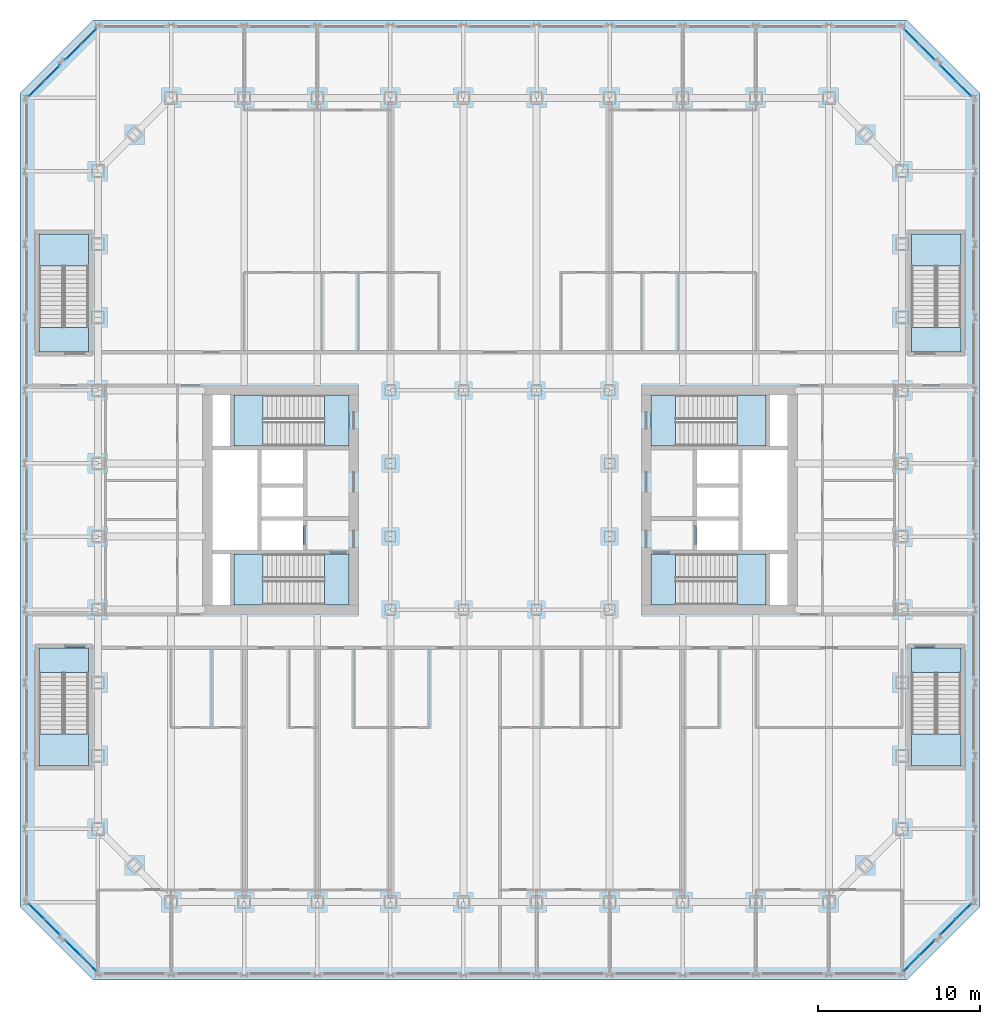
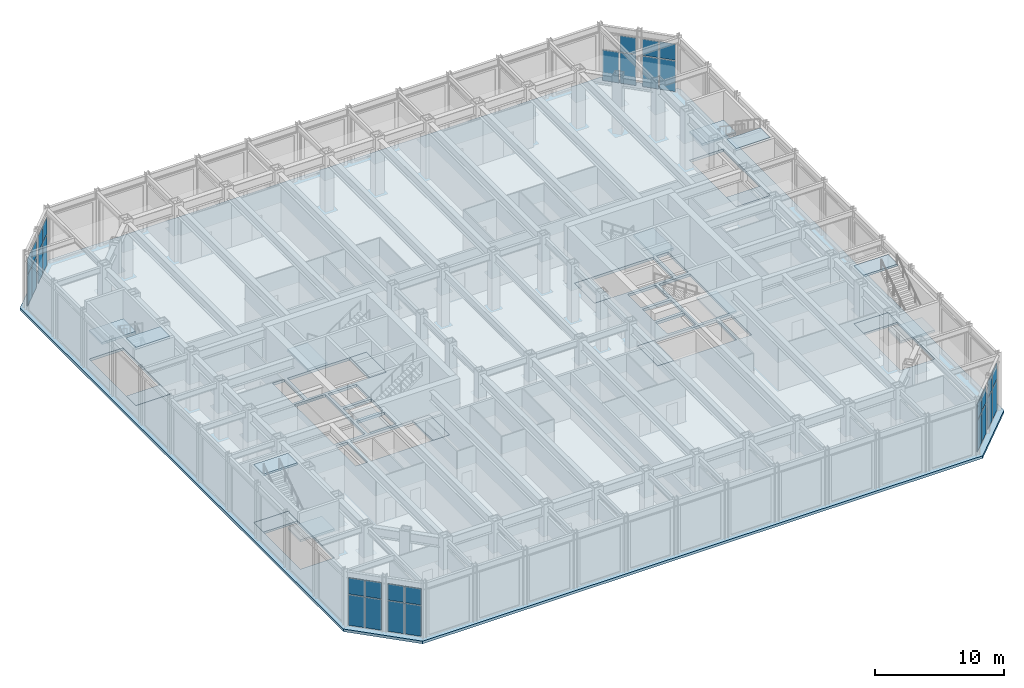
# One storey, part 9 of 19: 31 plates, 21 slabs, 16 elements without a shape of their own.
"""IFC4 building model written with IfcOpenShell, lengths in metres."""

import ifcopenshell
import ifcopenshell.guid

model = None  # the IFC model being written
_history = None  # IfcOwnerHistory: only IFC2X3 demands one
_inside = {}  # id of a spatial element -> (the spatial element, [elements in it])
_under = {}  # id of a project, library or spatial element -> (it, [spatial elements below it])
_declared = {}  # id of a project -> (the project, [libraries it declares])
_typed = {}  # id of a type object -> (the type object, [elements of that type])
_made_of = {}  # id of a material, layer set ... -> (it, [elements and type objects made of it])


def new_model(schema):
    """Start an empty IFC model of exactly this schema.

    Asked for "IFC4X3", IfcOpenShell would pick the latest addendum, in which some entities
    have other attributes; the version numbers below select the first issue.
    IFC2X3 requires an IfcOwnerHistory on every rooted entity: one is made here for all.
    """
    global model, _history
    if schema == "IFC4X3":
        model = ifcopenshell.file(schema_version=(4, 3, 0, 0))
    else:
        model = ifcopenshell.file(schema=schema)
    _inside.clear()
    _under.clear()
    _declared.clear()
    _typed.clear()
    _made_of.clear()
    _history = None
    if model.schema == "IFC2X3":
        org = make("IfcOrganization", Name="unknown")
        user = make(
            "IfcPersonAndOrganization",
            ThePerson=make("IfcPerson", FamilyName="unknown"),
            TheOrganization=org,
        )
        app = make(
            "IfcApplication",
            ApplicationDeveloper=org,
            Version="unknown",
            ApplicationFullName="unknown",
            ApplicationIdentifier="unknown",
        )
        _history = make(
            "IfcOwnerHistory",
            OwningUser=user,
            OwningApplication=app,
            ChangeAction="ADDED",
            CreationDate=0,
        )
    return model


def make(cls, **values):
    """One entity of the class cls with the attributes given. An attribute that is None is left unset."""
    return model.create_entity(
        cls, **{name: value for name, value in values.items() if value is not None}
    )


def rooted(cls, **values):
    """An entity with a GlobalId (a new one), such as an element, a storey or a relation."""
    return make(cls, GlobalId=ifcopenshell.guid.new(), OwnerHistory=_history, **values)


def si_unit(unit_type, name, prefix=None):
    """IfcSIUnit, for example si_unit("LENGTHUNIT", "METRE", prefix="MILLI")."""
    return make("IfcSIUnit", UnitType=unit_type, Prefix=prefix, Name=name)


def assignment(units):
    """IfcUnitAssignment: the units of a project."""
    return None if units is None else make("IfcUnitAssignment", Units=units)


def point(xyz):
    """IfcCartesianPoint."""
    return None if xyz is None else make("IfcCartesianPoint", Coordinates=xyz)


def direction(xyz):
    """IfcDirection."""
    return None if xyz is None else make("IfcDirection", DirectionRatios=xyz)


def frame(location, z_axis=None, x_axis=None):
    """IfcAxis2Placement3D, a coordinate frame: its origin and axes. An axis left out is left unset."""
    return make(
        "IfcAxis2Placement3D",
        Location=point(location),
        Axis=direction(z_axis),
        RefDirection=direction(x_axis),
    )


def frame_2d(location, x_axis=None):
    """IfcAxis2Placement2D, a coordinate frame in the plane: its origin and x axis."""
    return make(
        "IfcAxis2Placement2D", Location=point(location), RefDirection=direction(x_axis)
    )


def origin():
    """The frame at (0, 0, 0) with its axes left unset."""
    return frame((0.0, 0.0, 0.0))


def origin_2d():
    """The frame at (0, 0) in the plane with its x axis left unset."""
    return frame_2d((0.0, 0.0))


def place(relative_to, where):
    """IfcLocalPlacement: puts the frame where relative to a parent placement (None: the world)."""
    return make(
        "IfcLocalPlacement", PlacementRelTo=relative_to, RelativePlacement=where
    )


def context(
    kind, dimensions, precision=None, world=None, true_north=None, identifier=None
):
    """IfcGeometricRepresentationContext, for example the 3D "Model" context."""
    return make(
        "IfcGeometricRepresentationContext",
        ContextIdentifier=identifier,
        ContextType=kind,
        CoordinateSpaceDimension=dimensions,
        Precision=precision,
        WorldCoordinateSystem=world,
        TrueNorth=true_north,
    )


def subcontext(parent, identifier, kind, view, scale=None):
    """IfcGeometricRepresentationSubContext, for example "Body" below "Model"."""
    return make(
        "IfcGeometricRepresentationSubContext",
        ContextIdentifier=identifier,
        ContextType=kind,
        ParentContext=parent,
        TargetScale=scale,
        TargetView=view,
    )


def project(units=None, contexts=None):
    """IfcProject with its units and contexts."""
    return rooted(
        "IfcProject",
        Name="project",
        RepresentationContexts=contexts,
        UnitsInContext=assignment(units),
    )


def spatial(cls, under=None, at=None, **own):
    """A site, building, storey or space (cls), placed at a placement, below another one or the project."""
    s = rooted(cls, ObjectPlacement=at, **own)
    if under is not None:
        _under.setdefault(under.id(), (under, []))[1].append(s)
    return s


def polyline(points):
    """IfcPolyline through the points."""
    return make("IfcPolyline", Points=[point(p) for p in points])


def profile(cls, at=None, kind="AREA", **sizes):
    """A parametric profile (cls). Its sizes go by their IFC names, for example OverallWidth=200.0."""
    return make(cls, ProfileType=kind, Position=at, **sizes)


def rectangle(**sizes):
    """IfcRectangleProfileDef."""
    return profile("IfcRectangleProfileDef", **sizes)


def outline(outer, holes=None, kind="AREA"):
    """IfcArbitraryClosedProfileDef: a profile drawn as a closed curve; with holes, ...WithVoids."""
    if holes is None:
        return make("IfcArbitraryClosedProfileDef", ProfileType=kind, OuterCurve=outer)
    return make(
        "IfcArbitraryProfileDefWithVoids",
        ProfileType=kind,
        OuterCurve=outer,
        InnerCurves=holes,
    )


def extrude(swept, where, along, depth):
    """IfcExtrudedAreaSolid: the profile swept, set in the frame where, extruded along a direction by depth."""
    return make(
        "IfcExtrudedAreaSolid",
        SweptArea=swept,
        Position=where,
        ExtrudedDirection=direction(along),
        Depth=depth,
    )


def shape(context_of_items, identifier, shape_type, items):
    """IfcShapeRepresentation: the items that make up one representation, for example the "Body"."""
    return make(
        "IfcShapeRepresentation",
        ContextOfItems=context_of_items,
        RepresentationIdentifier=identifier,
        RepresentationType=shape_type,
        Items=items,
    )


def material(Name=None, Category=None):
    """IfcMaterial."""
    return make("IfcMaterial", Name=Name, Category=Category)


def layer(
    of_material, thickness, ventilated=None, Name=None, Category=None, Priority=None
):
    """IfcMaterialLayer: one layer of a wall or slab, of a material (None: an air gap)."""
    return make(
        "IfcMaterialLayer",
        Material=of_material,
        LayerThickness=thickness,
        IsVentilated=ventilated,
        Name=Name,
        Category=Category,
        Priority=Priority,
    )


def layer_set(layers, Name=None):
    """IfcMaterialLayerSet."""
    return make("IfcMaterialLayerSet", MaterialLayers=layers, LayerSetName=Name)


def made_of(thing, what):
    """Note that an element or type object is made of a material, layer set ...; save() writes the relation."""
    if what is not None:
        _made_of.setdefault(what.id(), (what, []))[1].append(thing)
    return thing


def type_object(cls, material=None, **own):
    """A type object (cls), such as IfcWallType, which elements share."""
    return made_of(rooted(cls, **own), material)


def element(
    cls,
    number,
    at=None,
    inside=None,
    cuts=None,
    type_object=None,
    material=None,
    context=None,
    identifier="Body",
    shape_type=None,
    held_by="IfcProductDefinitionShape",
    body=None,
    shapes=None,
    **own,
):
    """One element of the class cls, such as IfcWall. Its Tag is "e" and its number.

    at: its placement. inside: the storey or other place that contains it. cuts: it is an
    opening in that element (IfcRelVoidsElement). A single representation is given by context,
    identifier, shape_type and body (its items); several are given by shapes. held_by: the class
    of the entity that holds the representations. save() writes the other relations.
    """
    e = rooted(cls, Tag="e%d" % number, ObjectPlacement=at, **own)
    if body is not None:
        shapes = [shape(context, identifier, shape_type, body)]
    if shapes is not None:
        e.Representation = make(held_by, Representations=shapes)
    if inside is not None:
        _inside.setdefault(inside.id(), (inside, []))[1].append(e)
    if cuts is not None:
        rooted(
            "IfcRelVoidsElement", RelatingBuildingElement=cuts, RelatedOpeningElement=e
        )
    if type_object is not None:
        _typed.setdefault(type_object.id(), (type_object, []))[1].append(e)
    return made_of(e, material)


def aggregate(whole, parts):
    """IfcRelAggregates: a whole, such as a stair, and the parts it consists of."""
    return rooted("IfcRelAggregates", RelatingObject=whole, RelatedObjects=parts)


def save(model, path):
    """Write the relations noted so far, then the file.

    IfcRelAggregates (storeys below a building ...), IfcRelContainedInSpatialStructure (elements
    in a storey), IfcRelDefinesByType, IfcRelAssociatesMaterial and IfcRelDeclares: one each for
    every whole, place, type object, material and project.
    """
    for whole, parts in _under.values():
        aggregate(whole, parts)
    for where, things in _inside.values():
        rooted(
            "IfcRelContainedInSpatialStructure",
            RelatedElements=things,
            RelatingStructure=where,
        )
    for kind, things in _typed.values():
        rooted("IfcRelDefinesByType", RelatedObjects=things, RelatingType=kind)
    for what, things in _made_of.values():
        rooted("IfcRelAssociatesMaterial", RelatedObjects=things, RelatingMaterial=what)
    for by, libraries in _declared.values():
        rooted("IfcRelDeclares", RelatingContext=by, RelatedDefinitions=libraries)
    model.write(path)


model = new_model("IFC4")

# Units and contexts
model_context = context("Model", 3, precision=1e-05, world=origin(), true_north=direction((0.0, 1.0)))
body_context = subcontext(model_context, "Body", "Model", "MODEL_VIEW")
ifc_project = project(units=[si_unit("LENGTHUNIT", "METRE"), si_unit("AREAUNIT", "SQUARE_METRE"), si_unit("VOLUMEUNIT", "CUBIC_METRE"), si_unit("PLANEANGLEUNIT", "RADIAN"), si_unit("MASSUNIT", "GRAM", prefix="KILO")], contexts=[model_context])

# Site, building, storey
site_placement = place(None, origin())
site = spatial("IfcSite", under=ifc_project, at=site_placement, CompositionType="ELEMENT")
building_placement = place(site_placement, origin())
building = spatial("IfcBuilding", under=site, at=building_placement, Name="Msasa Ring Tower", CompositionType="ELEMENT")
storey_placement = place(building_placement, frame((0.0, 0.0, 16.0)))
storey = spatial("IfcBuildingStorey", under=building, at=storey_placement, Name="L03", CompositionType="ELEMENT", Elevation=16.0)

# Curtain wall, plates
ifc_material_1 = material(Name="Aluminium curtain wall with clear glass", Category="aluminium")
curtain_wall_type = type_object("IfcCurtainWallType", Name="CW-K PODIUM CORNER CURTAIN WALL", PredefinedType="NOTDEFINED", material=ifc_material_1)
curtain_wall_1_placement = place(storey_placement, origin())
curtain_wall_1 = element("IfcCurtainWall", 1, at=curtain_wall_1_placement, inside=storey, type_object=curtain_wall_type, Name="Podium corner curtain wall SE L03", PredefinedType="NOTDEFINED")
ifc_material_2 = material(Name="Clear laminated insulating glass unit", Category="glass")
ifc_layer_1 = layer(ifc_material_2, 0.031982421875)
ifc_layer_set_1 = layer_set([ifc_layer_1], Name="CW-K GLASS PANEL 32")
plate_type = type_object("IfcPlateType", Name="CW-K GLASS PANEL 32", PredefinedType="CURTAIN_PANEL", material=ifc_layer_set_1)
plate_1_placement = place(storey_placement, frame((25.320556640625, -28.5380859375, 0.070068359375), z_axis=(0.0, 0.0, 1.0), x_axis=(0.707106781187, 0.707106781187, 0.0)))
plate_1 = element("IfcPlate", 2, at=plate_1_placement, type_object=plate_type, Name="CW-K panel 1.1", PredefinedType="CURTAIN_PANEL", context=body_context, shape_type="SweptSolid", body=[
    extrude(rectangle(XDim=1.29833984375, YDim=0.031982421875, at=origin_2d()), origin(), (0.0, 0.0, 1.0), 2.89501953125),
])
plate_2_placement = place(storey_placement, frame((25.320556640625, -28.5380859375, 3.034912109375), z_axis=(0.0, 0.0, 1.0), x_axis=(0.707106781187, 0.707106781187, 0.0)))
plate_2 = element("IfcPlate", 3, at=plate_2_placement, type_object=plate_type, Name="CW-K panel 1.2", PredefinedType="CURTAIN_PANEL", context=body_context, shape_type="SweptSolid", body=[
    extrude(rectangle(XDim=1.29833984375, YDim=0.031982421875, at=origin_2d()), origin(), (0.0, 0.0, 1.0), 1.52783203125),
])
plate_3_placement = place(storey_placement, frame((26.2880859375, -27.570556640625, 0.070068359375), z_axis=(0.0, 0.0, 1.0), x_axis=(0.707106781187, 0.707106781187, 0.0)))
plate_3 = element("IfcPlate", 4, at=plate_3_placement, type_object=plate_type, Name="CW-K panel 2.1", PredefinedType="CURTAIN_PANEL", context=body_context, shape_type="SweptSolid", body=[
    extrude(rectangle(XDim=1.29833984375, YDim=0.031982421875, at=origin_2d()), origin(), (0.0, 0.0, 1.0), 2.89501953125),
])
plate_4_placement = place(storey_placement, frame((26.2880859375, -27.570556640625, 3.034912109375), z_axis=(0.0, 0.0, 1.0), x_axis=(0.707106781187, 0.707106781187, 0.0)))
plate_4 = element("IfcPlate", 5, at=plate_4_placement, type_object=plate_type, Name="CW-K panel 2.2", PredefinedType="CURTAIN_PANEL", context=body_context, shape_type="SweptSolid", body=[
    extrude(rectangle(XDim=1.29833984375, YDim=0.031982421875, at=origin_2d()), origin(), (0.0, 0.0, 1.0), 1.52783203125),
])
aggregate(curtain_wall_1, [plate_1, plate_2, plate_3, plate_4])

curtain_wall_2_placement = place(storey_placement, origin())
curtain_wall_2 = element("IfcCurtainWall", 6, at=curtain_wall_2_placement, inside=storey, type_object=curtain_wall_type, Name="Podium corner curtain wall SE L03", PredefinedType="NOTDEFINED")
plate_5_placement = place(storey_placement, frame((27.570556640625, -26.2880859375, 0.070068359375), z_axis=(0.0, 0.0, 1.0), x_axis=(0.707106781187, 0.707106781187, 0.0)))
plate_5 = element("IfcPlate", 7, at=plate_5_placement, type_object=plate_type, Name="CW-K panel 1.1", PredefinedType="CURTAIN_PANEL", context=body_context, shape_type="SweptSolid", body=[
    extrude(rectangle(XDim=1.29833984375, YDim=0.031982421875, at=origin_2d()), origin(), (0.0, 0.0, 1.0), 2.89501953125),
])
plate_6_placement = place(storey_placement, frame((27.570556640625, -26.2880859375, 3.034912109375), z_axis=(0.0, 0.0, 1.0), x_axis=(0.707106781187, 0.707106781187, 0.0)))
plate_6 = element("IfcPlate", 8, at=plate_6_placement, type_object=plate_type, Name="CW-K panel 1.2", PredefinedType="CURTAIN_PANEL", context=body_context, shape_type="SweptSolid", body=[
    extrude(rectangle(XDim=1.29833984375, YDim=0.031982421875, at=origin_2d()), origin(), (0.0, 0.0, 1.0), 1.52783203125),
])
plate_7_placement = place(storey_placement, frame((28.5380859375, -25.320556640625, 0.070068359375), z_axis=(0.0, 0.0, 1.0), x_axis=(0.707106781187, 0.707106781187, 0.0)))
plate_7 = element("IfcPlate", 9, at=plate_7_placement, type_object=plate_type, Name="CW-K panel 2.1", PredefinedType="CURTAIN_PANEL", context=body_context, shape_type="SweptSolid", body=[
    extrude(rectangle(XDim=1.29833984375, YDim=0.031982421875, at=origin_2d()), origin(), (0.0, 0.0, 1.0), 2.89501953125),
])
plate_8_placement = place(storey_placement, frame((28.5380859375, -25.320556640625, 3.034912109375), z_axis=(0.0, 0.0, 1.0), x_axis=(0.707106781187, 0.707106781187, 0.0)))
plate_8 = element("IfcPlate", 10, at=plate_8_placement, type_object=plate_type, Name="CW-K panel 2.2", PredefinedType="CURTAIN_PANEL", context=body_context, shape_type="SweptSolid", body=[
    extrude(rectangle(XDim=1.29833984375, YDim=0.031982421875, at=origin_2d()), origin(), (0.0, 0.0, 1.0), 1.52783203125),
])
aggregate(curtain_wall_2, [plate_5, plate_6, plate_7, plate_8])

curtain_wall_3_placement = place(storey_placement, origin())
curtain_wall_3 = element("IfcCurtainWall", 11, at=curtain_wall_3_placement, inside=storey, type_object=curtain_wall_type, Name="Podium corner curtain wall NE L03", PredefinedType="NOTDEFINED")
plate_9_placement = place(storey_placement, frame((26.2880859375, 27.570556640625, 0.070068359375), z_axis=(0.0, 0.0, 1.0), x_axis=(-0.707106781187, 0.707106781187, 0.0)))
plate_9 = element("IfcPlate", 12, at=plate_9_placement, type_object=plate_type, Name="CW-K panel 1.1", PredefinedType="CURTAIN_PANEL", context=body_context, shape_type="SweptSolid", body=[
    extrude(rectangle(XDim=1.29833984375, YDim=0.031982421875, at=origin_2d()), origin(), (0.0, 0.0, 1.0), 2.89501953125),
])
plate_10_placement = place(storey_placement, frame((26.2880859375, 27.570556640625, 3.034912109375), z_axis=(0.0, 0.0, 1.0), x_axis=(-0.707106781187, 0.707106781187, 0.0)))
plate_10 = element("IfcPlate", 13, at=plate_10_placement, type_object=plate_type, Name="CW-K panel 1.2", PredefinedType="CURTAIN_PANEL", context=body_context, shape_type="SweptSolid", body=[
    extrude(rectangle(XDim=1.29833984375, YDim=0.031982421875, at=origin_2d()), origin(), (0.0, 0.0, 1.0), 1.52783203125),
])
plate_11_placement = place(storey_placement, frame((25.320556640625, 28.5380859375, 0.070068359375), z_axis=(0.0, 0.0, 1.0), x_axis=(-0.707106781187, 0.707106781187, 0.0)))
plate_11 = element("IfcPlate", 14, at=plate_11_placement, type_object=plate_type, Name="CW-K panel 2.1", PredefinedType="CURTAIN_PANEL", context=body_context, shape_type="SweptSolid", body=[
    extrude(rectangle(XDim=1.29833984375, YDim=0.031982421875, at=origin_2d()), origin(), (0.0, 0.0, 1.0), 2.89501953125),
])
aggregate(curtain_wall_3, [plate_9, plate_10, plate_11])

curtain_wall_4_placement = place(storey_placement, origin())
curtain_wall_4 = element("IfcCurtainWall", 15, at=curtain_wall_4_placement, inside=storey, type_object=curtain_wall_type, Name="Podium corner curtain wall NE L03", PredefinedType="NOTDEFINED")
plate_12_placement = place(storey_placement, frame((28.5380859375, 25.320556640625, 0.070068359375), z_axis=(0.0, 0.0, 1.0), x_axis=(-0.707106781187, 0.707106781187, 0.0)))
plate_12 = element("IfcPlate", 16, at=plate_12_placement, type_object=plate_type, Name="CW-K panel 1.1", PredefinedType="CURTAIN_PANEL", context=body_context, shape_type="SweptSolid", body=[
    extrude(rectangle(XDim=1.29833984375, YDim=0.031982421875, at=origin_2d()), origin(), (0.0, 0.0, 1.0), 2.89501953125),
])
plate_13_placement = place(storey_placement, frame((28.5380859375, 25.320556640625, 3.034912109375), z_axis=(0.0, 0.0, 1.0), x_axis=(-0.707106781187, 0.707106781187, 0.0)))
plate_13 = element("IfcPlate", 17, at=plate_13_placement, type_object=plate_type, Name="CW-K panel 1.2", PredefinedType="CURTAIN_PANEL", context=body_context, shape_type="SweptSolid", body=[
    extrude(rectangle(XDim=1.29833984375, YDim=0.031982421875, at=origin_2d()), origin(), (0.0, 0.0, 1.0), 1.52783203125),
])
plate_14_placement = place(storey_placement, frame((27.570556640625, 26.2880859375, 0.070068359375), z_axis=(0.0, 0.0, 1.0), x_axis=(-0.707106781187, 0.707106781187, 0.0)))
plate_14 = element("IfcPlate", 18, at=plate_14_placement, type_object=plate_type, Name="CW-K panel 2.1", PredefinedType="CURTAIN_PANEL", context=body_context, shape_type="SweptSolid", body=[
    extrude(rectangle(XDim=1.29833984375, YDim=0.031982421875, at=origin_2d()), origin(), (0.0, 0.0, 1.0), 2.89501953125),
])
plate_15_placement = place(storey_placement, frame((27.570556640625, 26.2880859375, 3.034912109375), z_axis=(0.0, 0.0, 1.0), x_axis=(-0.707106781187, 0.707106781187, 0.0)))
plate_15 = element("IfcPlate", 19, at=plate_15_placement, type_object=plate_type, Name="CW-K panel 2.2", PredefinedType="CURTAIN_PANEL", context=body_context, shape_type="SweptSolid", body=[
    extrude(rectangle(XDim=1.29833984375, YDim=0.031982421875, at=origin_2d()), origin(), (0.0, 0.0, 1.0), 1.52783203125),
])
aggregate(curtain_wall_4, [plate_12, plate_13, plate_14, plate_15])

curtain_wall_5_placement = place(storey_placement, origin())
curtain_wall_5 = element("IfcCurtainWall", 20, at=curtain_wall_5_placement, inside=storey, type_object=curtain_wall_type, Name="Podium corner curtain wall NW L03", PredefinedType="NOTDEFINED")
plate_16_placement = place(storey_placement, frame((-27.570556640625, 26.2880859375, 0.070068359375), z_axis=(0.0, 0.0, 1.0), x_axis=(-0.707106781187, -0.707106781187, 0.0)))
plate_16 = element("IfcPlate", 21, at=plate_16_placement, type_object=plate_type, Name="CW-K panel 1.1", PredefinedType="CURTAIN_PANEL", context=body_context, shape_type="SweptSolid", body=[
    extrude(rectangle(XDim=1.29833984375, YDim=0.031982421875, at=origin_2d()), origin(), (0.0, 0.0, 1.0), 2.89501953125),
])
plate_17_placement = place(storey_placement, frame((-27.570556640625, 26.2880859375, 3.034912109375), z_axis=(0.0, 0.0, 1.0), x_axis=(-0.707106781187, -0.707106781187, 0.0)))
plate_17 = element("IfcPlate", 22, at=plate_17_placement, type_object=plate_type, Name="CW-K panel 1.2", PredefinedType="CURTAIN_PANEL", context=body_context, shape_type="SweptSolid", body=[
    extrude(rectangle(XDim=1.29833984375, YDim=0.031982421875, at=origin_2d()), origin(), (0.0, 0.0, 1.0), 1.52783203125),
])
plate_18_placement = place(storey_placement, frame((-28.5380859375, 25.320556640625, 0.070068359375), z_axis=(0.0, 0.0, 1.0), x_axis=(-0.707106781187, -0.707106781187, 0.0)))
plate_18 = element("IfcPlate", 23, at=plate_18_placement, type_object=plate_type, Name="CW-K panel 2.1", PredefinedType="CURTAIN_PANEL", context=body_context, shape_type="SweptSolid", body=[
    extrude(rectangle(XDim=1.29833984375, YDim=0.031982421875, at=origin_2d()), origin(), (0.0, 0.0, 1.0), 2.89501953125),
])
plate_19_placement = place(storey_placement, frame((-28.5380859375, 25.320556640625, 3.034912109375), z_axis=(0.0, 0.0, 1.0), x_axis=(-0.707106781187, -0.707106781187, 0.0)))
plate_19 = element("IfcPlate", 24, at=plate_19_placement, type_object=plate_type, Name="CW-K panel 2.2", PredefinedType="CURTAIN_PANEL", context=body_context, shape_type="SweptSolid", body=[
    extrude(rectangle(XDim=1.29833984375, YDim=0.031982421875, at=origin_2d()), origin(), (0.0, 0.0, 1.0), 1.52783203125),
])
aggregate(curtain_wall_5, [plate_16, plate_17, plate_18, plate_19])

curtain_wall_6_placement = place(storey_placement, origin())
curtain_wall_6 = element("IfcCurtainWall", 25, at=curtain_wall_6_placement, inside=storey, type_object=curtain_wall_type, Name="Podium corner curtain wall NW L03", PredefinedType="NOTDEFINED")
plate_20_placement = place(storey_placement, frame((-25.320556640625, 28.5380859375, 0.070068359375), z_axis=(0.0, 0.0, 1.0), x_axis=(-0.707106781187, -0.707106781187, 0.0)))
plate_20 = element("IfcPlate", 26, at=plate_20_placement, type_object=plate_type, Name="CW-K panel 1.1", PredefinedType="CURTAIN_PANEL", context=body_context, shape_type="SweptSolid", body=[
    extrude(rectangle(XDim=1.29833984375, YDim=0.031982421875, at=origin_2d()), origin(), (0.0, 0.0, 1.0), 2.89501953125),
])
plate_21_placement = place(storey_placement, frame((-25.320556640625, 28.5380859375, 3.034912109375), z_axis=(0.0, 0.0, 1.0), x_axis=(-0.707106781187, -0.707106781187, 0.0)))
plate_21 = element("IfcPlate", 27, at=plate_21_placement, type_object=plate_type, Name="CW-K panel 1.2", PredefinedType="CURTAIN_PANEL", context=body_context, shape_type="SweptSolid", body=[
    extrude(rectangle(XDim=1.29833984375, YDim=0.031982421875, at=origin_2d()), origin(), (0.0, 0.0, 1.0), 1.52783203125),
])
plate_22_placement = place(storey_placement, frame((-26.2880859375, 27.570556640625, 0.070068359375), z_axis=(0.0, 0.0, 1.0), x_axis=(-0.707106781187, -0.707106781187, 0.0)))
plate_22 = element("IfcPlate", 28, at=plate_22_placement, type_object=plate_type, Name="CW-K panel 2.1", PredefinedType="CURTAIN_PANEL", context=body_context, shape_type="SweptSolid", body=[
    extrude(rectangle(XDim=1.29833984375, YDim=0.031982421875, at=origin_2d()), origin(), (0.0, 0.0, 1.0), 2.89501953125),
])
plate_23_placement = place(storey_placement, frame((-26.2880859375, 27.570556640625, 3.034912109375), z_axis=(0.0, 0.0, 1.0), x_axis=(-0.707106781187, -0.707106781187, 0.0)))
plate_23 = element("IfcPlate", 29, at=plate_23_placement, type_object=plate_type, Name="CW-K panel 2.2", PredefinedType="CURTAIN_PANEL", context=body_context, shape_type="SweptSolid", body=[
    extrude(rectangle(XDim=1.29833984375, YDim=0.031982421875, at=origin_2d()), origin(), (0.0, 0.0, 1.0), 1.52783203125),
])
aggregate(curtain_wall_6, [plate_20, plate_21, plate_22, plate_23])

curtain_wall_7_placement = place(storey_placement, origin())
curtain_wall_7 = element("IfcCurtainWall", 30, at=curtain_wall_7_placement, inside=storey, type_object=curtain_wall_type, Name="Podium corner curtain wall SW L03", PredefinedType="NOTDEFINED")
plate_24_placement = place(storey_placement, frame((-28.5380859375, -25.320556640625, 0.070068359375), z_axis=(0.0, 0.0, 1.0), x_axis=(0.707106781187, -0.707106781187, 0.0)))
plate_24 = element("IfcPlate", 31, at=plate_24_placement, type_object=plate_type, Name="CW-K panel 1.1", PredefinedType="CURTAIN_PANEL", context=body_context, shape_type="SweptSolid", body=[
    extrude(rectangle(XDim=1.29833984375, YDim=0.031982421875, at=origin_2d()), origin(), (0.0, 0.0, 1.0), 2.89501953125),
])
plate_25_placement = place(storey_placement, frame((-28.5380859375, -25.320556640625, 3.034912109375), z_axis=(0.0, 0.0, 1.0), x_axis=(0.707106781187, -0.707106781187, 0.0)))
plate_25 = element("IfcPlate", 32, at=plate_25_placement, type_object=plate_type, Name="CW-K panel 1.2", PredefinedType="CURTAIN_PANEL", context=body_context, shape_type="SweptSolid", body=[
    extrude(rectangle(XDim=1.29833984375, YDim=0.031982421875, at=origin_2d()), origin(), (0.0, 0.0, 1.0), 1.52783203125),
])
plate_26_placement = place(storey_placement, frame((-27.570556640625, -26.2880859375, 0.070068359375), z_axis=(0.0, 0.0, 1.0), x_axis=(0.707106781187, -0.707106781187, 0.0)))
plate_26 = element("IfcPlate", 33, at=plate_26_placement, type_object=plate_type, Name="CW-K panel 2.1", PredefinedType="CURTAIN_PANEL", context=body_context, shape_type="SweptSolid", body=[
    extrude(rectangle(XDim=1.29833984375, YDim=0.031982421875, at=origin_2d()), origin(), (0.0, 0.0, 1.0), 2.89501953125),
])
plate_27_placement = place(storey_placement, frame((-27.570556640625, -26.2880859375, 3.034912109375), z_axis=(0.0, 0.0, 1.0), x_axis=(0.707106781187, -0.707106781187, 0.0)))
plate_27 = element("IfcPlate", 34, at=plate_27_placement, type_object=plate_type, Name="CW-K panel 2.2", PredefinedType="CURTAIN_PANEL", context=body_context, shape_type="SweptSolid", body=[
    extrude(rectangle(XDim=1.29833984375, YDim=0.031982421875, at=origin_2d()), origin(), (0.0, 0.0, 1.0), 1.52783203125),
])
aggregate(curtain_wall_7, [plate_24, plate_25, plate_26, plate_27])

curtain_wall_8_placement = place(storey_placement, origin())
curtain_wall_8 = element("IfcCurtainWall", 35, at=curtain_wall_8_placement, inside=storey, type_object=curtain_wall_type, Name="Podium corner curtain wall SW L03", PredefinedType="NOTDEFINED")
plate_28_placement = place(storey_placement, frame((-26.2880859375, -27.570556640625, 0.070068359375), z_axis=(0.0, 0.0, 1.0), x_axis=(0.707106781187, -0.707106781187, 0.0)))
plate_28 = element("IfcPlate", 36, at=plate_28_placement, type_object=plate_type, Name="CW-K panel 1.1", PredefinedType="CURTAIN_PANEL", context=body_context, shape_type="SweptSolid", body=[
    extrude(rectangle(XDim=1.29833984375, YDim=0.031982421875, at=origin_2d()), origin(), (0.0, 0.0, 1.0), 2.89501953125),
])
plate_29_placement = place(storey_placement, frame((-26.2880859375, -27.570556640625, 3.034912109375), z_axis=(0.0, 0.0, 1.0), x_axis=(0.707106781187, -0.707106781187, 0.0)))
plate_29 = element("IfcPlate", 37, at=plate_29_placement, type_object=plate_type, Name="CW-K panel 1.2", PredefinedType="CURTAIN_PANEL", context=body_context, shape_type="SweptSolid", body=[
    extrude(rectangle(XDim=1.29833984375, YDim=0.031982421875, at=origin_2d()), origin(), (0.0, 0.0, 1.0), 1.52783203125),
])
plate_30_placement = place(storey_placement, frame((-25.320556640625, -28.5380859375, 0.070068359375), z_axis=(0.0, 0.0, 1.0), x_axis=(0.707106781187, -0.707106781187, 0.0)))
plate_30 = element("IfcPlate", 38, at=plate_30_placement, type_object=plate_type, Name="CW-K panel 2.1", PredefinedType="CURTAIN_PANEL", context=body_context, shape_type="SweptSolid", body=[
    extrude(rectangle(XDim=1.29833984375, YDim=0.031982421875, at=origin_2d()), origin(), (0.0, 0.0, 1.0), 2.89501953125),
])
plate_31_placement = place(storey_placement, frame((-25.320556640625, -28.5380859375, 3.034912109375), z_axis=(0.0, 0.0, 1.0), x_axis=(0.707106781187, -0.707106781187, 0.0)))
plate_31 = element("IfcPlate", 39, at=plate_31_placement, type_object=plate_type, Name="CW-K panel 2.2", PredefinedType="CURTAIN_PANEL", context=body_context, shape_type="SweptSolid", body=[
    extrude(rectangle(XDim=1.29833984375, YDim=0.031982421875, at=origin_2d()), origin(), (0.0, 0.0, 1.0), 1.52783203125),
])
aggregate(curtain_wall_8, [plate_28, plate_29, plate_30, plate_31])

# Stair, slabs
ifc_material_3 = material(Name="Concrete C40/50", Category="concrete")
stair_type_1 = type_object("IfcStairType", Name="STC CORE STAIR 30 RISERS 183.3", PredefinedType="HALF_TURN_STAIR", material=ifc_material_3)
stair_1_placement = place(storey_placement, origin())
stair_1 = element("IfcStair", 40, at=stair_1_placement, inside=storey, type_object=stair_type_1, Name="Core stair SEA L03", PredefinedType="HALF_TURN_STAIR")
ifc_material_4 = material(Name="Concrete C40/50", Category="concrete")
ifc_layer_2 = layer(ifc_material_4, 0.199951171875)
ifc_layer_set_2 = layer_set([ifc_layer_2], Name="LD1 CORE STAIR LANDING 200")
slab_type_1 = type_object("IfcSlabType", Name="LD1 CORE STAIR LANDING 200", PredefinedType="LANDING", material=ifc_layer_set_2)
slab_1_placement = place(storey_placement, frame((0.0, 0.0, -0.199951171875)))
slab_1 = element("IfcSlab", 41, at=slab_1_placement, type_object=slab_type_1, Name="SEA landing 1", PredefinedType="LANDING", context=body_context, shape_type="SweptSolid", body=[
    extrude(outline(polyline([(9.300048828125, -6.449951171875), (10.800048828125, -6.449951171875), (10.800048828125, -3.324951171875), (9.300048828125, -3.324951171875), (9.300048828125, -6.449951171875)])), origin(), (0.0, 0.0, 1.0), 0.199951171875),
])
slab_2_placement = place(storey_placement, frame((0.0, 0.0, 2.550048828125)))
slab_2 = element("IfcSlab", 42, at=slab_2_placement, type_object=slab_type_1, Name="SEA landing 2", PredefinedType="LANDING", context=body_context, shape_type="SweptSolid", body=[
    extrude(outline(polyline([(14.580078125, -6.449951171875), (16.375, -6.449951171875), (16.375, -3.324951171875), (14.580078125, -3.324951171875), (14.580078125, -6.449951171875)])), origin(), (0.0, 0.0, 1.0), 0.199951171875),
])
aggregate(stair_1, [slab_1, slab_2])

stair_2_placement = place(storey_placement, origin())
stair_2 = element("IfcStair", 43, at=stair_2_placement, inside=storey, type_object=stair_type_1, Name="Core stair SEB L03", PredefinedType="HALF_TURN_STAIR")
slab_3_placement = place(storey_placement, frame((0.0, 0.0, -0.199951171875)))
slab_3 = element("IfcSlab", 44, at=slab_3_placement, type_object=slab_type_1, Name="SEB landing 1", PredefinedType="LANDING", context=body_context, shape_type="SweptSolid", body=[
    extrude(outline(polyline([(9.300048828125, 3.324951171875), (10.800048828125, 3.324951171875), (10.800048828125, 6.449951171875), (9.300048828125, 6.449951171875), (9.300048828125, 3.324951171875)])), origin(), (0.0, 0.0, 1.0), 0.199951171875),
])
slab_4_placement = place(storey_placement, frame((0.0, 0.0, 2.550048828125)))
slab_4 = element("IfcSlab", 45, at=slab_4_placement, type_object=slab_type_1, Name="SEB landing 2", PredefinedType="LANDING", context=body_context, shape_type="SweptSolid", body=[
    extrude(outline(polyline([(14.580078125, 3.324951171875), (16.375, 3.324951171875), (16.375, 6.449951171875), (14.580078125, 6.449951171875), (14.580078125, 3.324951171875)])), origin(), (0.0, 0.0, 1.0), 0.199951171875),
])
aggregate(stair_2, [slab_3, slab_4])

stair_3_placement = place(storey_placement, origin())
stair_3 = element("IfcStair", 46, at=stair_3_placement, inside=storey, type_object=stair_type_1, Name="Core stair SWA L03", PredefinedType="HALF_TURN_STAIR")
slab_5_placement = place(storey_placement, frame((0.0, 0.0, -0.199951171875)))
slab_5 = element("IfcSlab", 47, at=slab_5_placement, type_object=slab_type_1, Name="SWA landing 1", PredefinedType="LANDING", context=body_context, shape_type="SweptSolid", body=[
    extrude(outline(polyline([(-10.800048828125, -6.449951171875), (-9.300048828125, -6.449951171875), (-9.300048828125, -3.324951171875), (-10.800048828125, -3.324951171875), (-10.800048828125, -6.449951171875)])), origin(), (0.0, 0.0, 1.0), 0.199951171875),
])
slab_6_placement = place(storey_placement, frame((0.0, 0.0, 2.550048828125)))
slab_6 = element("IfcSlab", 48, at=slab_6_placement, type_object=slab_type_1, Name="SWA landing 2", PredefinedType="LANDING", context=body_context, shape_type="SweptSolid", body=[
    extrude(outline(polyline([(-16.375, -6.449951171875), (-14.580078125, -6.449951171875), (-14.580078125, -3.324951171875), (-16.375, -3.324951171875), (-16.375, -6.449951171875)])), origin(), (0.0, 0.0, 1.0), 0.199951171875),
])
aggregate(stair_3, [slab_5, slab_6])

stair_4_placement = place(storey_placement, origin())
stair_4 = element("IfcStair", 49, at=stair_4_placement, inside=storey, type_object=stair_type_1, Name="Core stair SWB L03", PredefinedType="HALF_TURN_STAIR")
slab_7_placement = place(storey_placement, frame((0.0, 0.0, -0.199951171875)))
slab_7 = element("IfcSlab", 50, at=slab_7_placement, type_object=slab_type_1, Name="SWB landing 1", PredefinedType="LANDING", context=body_context, shape_type="SweptSolid", body=[
    extrude(outline(polyline([(-10.800048828125, 3.324951171875), (-9.300048828125, 3.324951171875), (-9.300048828125, 6.449951171875), (-10.800048828125, 6.449951171875), (-10.800048828125, 3.324951171875)])), origin(), (0.0, 0.0, 1.0), 0.199951171875),
])
slab_8_placement = place(storey_placement, frame((0.0, 0.0, 2.550048828125)))
slab_8 = element("IfcSlab", 51, at=slab_8_placement, type_object=slab_type_1, Name="SWB landing 2", PredefinedType="LANDING", context=body_context, shape_type="SweptSolid", body=[
    extrude(outline(polyline([(-16.375, 3.324951171875), (-14.580078125, 3.324951171875), (-14.580078125, 6.449951171875), (-16.375, 6.449951171875), (-16.375, 3.324951171875)])), origin(), (0.0, 0.0, 1.0), 0.199951171875),
])
aggregate(stair_4, [slab_7, slab_8])

ifc_material_5 = material(Name="Concrete C40/50", Category="concrete")
stair_type_2 = type_object("IfcStairType", Name="STP PODIUM STAIR 30 RISERS 183.3", PredefinedType="HALF_TURN_STAIR", material=ifc_material_5)
stair_5_placement = place(storey_placement, origin())
stair_5 = element("IfcStair", 52, at=stair_5_placement, inside=storey, type_object=stair_type_2, Name="Podium stair PEN L03", PredefinedType="HALF_TURN_STAIR")
ifc_material_6 = material(Name="Concrete C40/50", Category="concrete")
ifc_layer_3 = layer(ifc_material_6, 0.199951171875)
ifc_layer_set_3 = layer_set([ifc_layer_3], Name="LD2 PODIUM STAIR LANDING 200")
slab_type_2 = type_object("IfcSlabType", Name="LD2 PODIUM STAIR LANDING 200", PredefinedType="LANDING", material=ifc_layer_set_3)
slab_9_placement = place(storey_placement, frame((0.0, 0.0, -0.199951171875)))
slab_9 = element("IfcSlab", 53, at=slab_9_placement, type_object=slab_type_2, Name="PEN landing 1", PredefinedType="LANDING", context=body_context, shape_type="SweptSolid", body=[
    extrude(outline(polyline([(25.324951171875, 9.125), (28.375, 9.125), (28.375, 10.625), (25.324951171875, 10.625), (25.324951171875, 9.125)])), origin(), (0.0, 0.0, 1.0), 0.199951171875),
])
slab_10_placement = place(storey_placement, frame((0.0, 0.0, 2.550048828125)))
slab_10 = element("IfcSlab", 54, at=slab_10_placement, type_object=slab_type_2, Name="PEN landing 2", PredefinedType="LANDING", context=body_context, shape_type="SweptSolid", body=[
    extrude(outline(polyline([(25.324951171875, 14.405029296875), (28.375, 14.405029296875), (28.375, 16.375), (25.324951171875, 16.375), (25.324951171875, 14.405029296875)])), origin(), (0.0, 0.0, 1.0), 0.199951171875),
])
slab_11_placement = place(storey_placement, frame((0.0, 0.0, 5.300048828125)))
slab_11 = element("IfcSlab", 55, at=slab_11_placement, type_object=slab_type_2, Name="PEN landing 3", PredefinedType="LANDING", context=body_context, shape_type="SweptSolid", body=[
    extrude(outline(polyline([(25.324951171875, 9.125), (28.375, 9.125), (28.375, 10.625), (25.324951171875, 10.625), (25.324951171875, 9.125)])), origin(), (0.0, 0.0, 1.0), 0.199951171875),
])
aggregate(stair_5, [slab_9, slab_10, slab_11])

stair_6_placement = place(storey_placement, origin())
stair_6 = element("IfcStair", 56, at=stair_6_placement, inside=storey, type_object=stair_type_2, Name="Podium stair PES L03", PredefinedType="HALF_TURN_STAIR")
slab_12_placement = place(storey_placement, frame((0.0, 0.0, -0.199951171875)))
slab_12 = element("IfcSlab", 57, at=slab_12_placement, type_object=slab_type_2, Name="PES landing 1", PredefinedType="LANDING", context=body_context, shape_type="SweptSolid", body=[
    extrude(outline(polyline([(25.324951171875, -10.625), (28.375, -10.625), (28.375, -9.125), (25.324951171875, -9.125), (25.324951171875, -10.625)])), origin(), (0.0, 0.0, 1.0), 0.199951171875),
])
slab_13_placement = place(storey_placement, frame((0.0, 0.0, 2.550048828125)))
slab_13 = element("IfcSlab", 58, at=slab_13_placement, type_object=slab_type_2, Name="PES landing 2", PredefinedType="LANDING", context=body_context, shape_type="SweptSolid", body=[
    extrude(outline(polyline([(25.324951171875, -16.375), (28.375, -16.375), (28.375, -14.405029296875), (25.324951171875, -14.405029296875), (25.324951171875, -16.375)])), origin(), (0.0, 0.0, 1.0), 0.199951171875),
])
slab_14_placement = place(storey_placement, frame((0.0, 0.0, 5.300048828125)))
slab_14 = element("IfcSlab", 59, at=slab_14_placement, type_object=slab_type_2, Name="PES landing 3", PredefinedType="LANDING", context=body_context, shape_type="SweptSolid", body=[
    extrude(outline(polyline([(25.324951171875, -10.625), (28.375, -10.625), (28.375, -9.125), (25.324951171875, -9.125), (25.324951171875, -10.625)])), origin(), (0.0, 0.0, 1.0), 0.199951171875),
])
aggregate(stair_6, [slab_12, slab_13, slab_14])

stair_7_placement = place(storey_placement, origin())
stair_7 = element("IfcStair", 60, at=stair_7_placement, inside=storey, type_object=stair_type_2, Name="Podium stair PWN L03", PredefinedType="HALF_TURN_STAIR")
slab_15_placement = place(storey_placement, frame((0.0, 0.0, -0.199951171875)))
slab_15 = element("IfcSlab", 61, at=slab_15_placement, type_object=slab_type_2, Name="PWN landing 1", PredefinedType="LANDING", context=body_context, shape_type="SweptSolid", body=[
    extrude(outline(polyline([(-28.375, 9.125), (-25.324951171875, 9.125), (-25.324951171875, 10.625), (-28.375, 10.625), (-28.375, 9.125)])), origin(), (0.0, 0.0, 1.0), 0.199951171875),
])
slab_16_placement = place(storey_placement, frame((0.0, 0.0, 2.550048828125)))
slab_16 = element("IfcSlab", 62, at=slab_16_placement, type_object=slab_type_2, Name="PWN landing 2", PredefinedType="LANDING", context=body_context, shape_type="SweptSolid", body=[
    extrude(outline(polyline([(-28.375, 14.405029296875), (-25.324951171875, 14.405029296875), (-25.324951171875, 16.375), (-28.375, 16.375), (-28.375, 14.405029296875)])), origin(), (0.0, 0.0, 1.0), 0.199951171875),
])
slab_17_placement = place(storey_placement, frame((0.0, 0.0, 5.300048828125)))
slab_17 = element("IfcSlab", 63, at=slab_17_placement, type_object=slab_type_2, Name="PWN landing 3", PredefinedType="LANDING", context=body_context, shape_type="SweptSolid", body=[
    extrude(outline(polyline([(-28.375, 9.125), (-25.324951171875, 9.125), (-25.324951171875, 10.625), (-28.375, 10.625), (-28.375, 9.125)])), origin(), (0.0, 0.0, 1.0), 0.199951171875),
])
aggregate(stair_7, [slab_15, slab_16, slab_17])

stair_8_placement = place(storey_placement, origin())
stair_8 = element("IfcStair", 64, at=stair_8_placement, inside=storey, type_object=stair_type_2, Name="Podium stair PWS L03", PredefinedType="HALF_TURN_STAIR")
slab_18_placement = place(storey_placement, frame((0.0, 0.0, -0.199951171875)))
slab_18 = element("IfcSlab", 65, at=slab_18_placement, type_object=slab_type_2, Name="PWS landing 1", PredefinedType="LANDING", context=body_context, shape_type="SweptSolid", body=[
    extrude(outline(polyline([(-28.375, -10.625), (-25.324951171875, -10.625), (-25.324951171875, -9.125), (-28.375, -9.125), (-28.375, -10.625)])), origin(), (0.0, 0.0, 1.0), 0.199951171875),
])
slab_19_placement = place(storey_placement, frame((0.0, 0.0, 2.550048828125)))
slab_19 = element("IfcSlab", 66, at=slab_19_placement, type_object=slab_type_2, Name="PWS landing 2", PredefinedType="LANDING", context=body_context, shape_type="SweptSolid", body=[
    extrude(outline(polyline([(-28.375, -16.375), (-25.324951171875, -16.375), (-25.324951171875, -14.405029296875), (-28.375, -14.405029296875), (-28.375, -16.375)])), origin(), (0.0, 0.0, 1.0), 0.199951171875),
])
slab_20_placement = place(storey_placement, frame((0.0, 0.0, 5.300048828125)))
slab_20 = element("IfcSlab", 67, at=slab_20_placement, type_object=slab_type_2, Name="PWS landing 3", PredefinedType="LANDING", context=body_context, shape_type="SweptSolid", body=[
    extrude(outline(polyline([(-28.375, -10.625), (-25.324951171875, -10.625), (-25.324951171875, -9.125), (-28.375, -9.125), (-28.375, -10.625)])), origin(), (0.0, 0.0, 1.0), 0.199951171875),
])
aggregate(stair_8, [slab_18, slab_19, slab_20])

# Slab
ifc_material_7 = material(Name="Concrete C40/50", Category="concrete")
ifc_layer_4 = layer(ifc_material_7, 0.25)
ifc_layer_set_4 = layer_set([ifc_layer_4], Name="S1 PODIUM FLOOR 250")
slab_type_3 = type_object("IfcSlabType", Name="S1 PODIUM FLOOR 250", PredefinedType="FLOOR", material=ifc_layer_set_4)
slab_21_placement = place(storey_placement, frame((0.0, 0.0, -0.25)))
element("IfcSlab", 68, at=slab_21_placement, inside=storey, type_object=slab_type_3, Name="Floor slab L03", PredefinedType="FLOOR", context=body_context, shape_type="SweptSolid", body=[
    extrude(outline(polyline([(-25.050048828125, -29.550048828125), (25.050048828125, -29.550048828125), (29.550048828125, -25.050048828125), (29.550048828125, 25.050048828125), (25.050048828125, 29.550048828125), (-25.050048828125, 29.550048828125), (-29.550048828125, 25.050048828125), (-29.550048828125, -25.050048828125), (-25.050048828125, -29.550048828125)]), holes=[polyline([(9.300048828125, -6.449951171875), (16.375, -6.449951171875), (16.375, -3.324951171875), (9.300048828125, -3.324951171875), (9.300048828125, -6.449951171875)]), polyline([(9.300048828125, 3.324951171875), (16.375, 3.324951171875), (16.375, 6.449951171875), (9.300048828125, 6.449951171875), (9.300048828125, 3.324951171875)]), polyline([(12.125, -3.074951171875), (14.675048828125, -3.074951171875), (14.675048828125, -1.27490234375), (12.125, -1.27490234375), (12.125, -3.074951171875)]), polyline([(12.125, -1.02490234375), (14.675048828125, -1.02490234375), (14.675048828125, 0.77490234375), (12.125, 0.77490234375), (12.125, -1.02490234375)]), polyline([(12.125, 1.02490234375), (14.675048828125, 1.02490234375), (14.675048828125, 3.074951171875), (12.125, 3.074951171875), (12.125, 1.02490234375)]), polyline([(16.625, -6.449951171875), (17.699951171875, -6.449951171875), (17.699951171875, -3.324951171875), (16.625, -3.324951171875), (16.625, -6.449951171875)]), polyline([(16.625, 3.324951171875), (17.699951171875, 3.324951171875), (17.699951171875, 6.449951171875), (16.625, 6.449951171875), (16.625, 3.324951171875)]), polyline([(14.925048828125, -3.074951171875), (17.699951171875, -3.074951171875), (17.699951171875, 3.074951171875), (14.925048828125, 3.074951171875), (14.925048828125, -3.074951171875)]), polyline([(-16.375, -6.449951171875), (-9.300048828125, -6.449951171875), (-9.300048828125, -3.324951171875), (-16.375, -3.324951171875), (-16.375, -6.449951171875)]), polyline([(-16.375, 3.324951171875), (-9.300048828125, 3.324951171875), (-9.300048828125, 6.449951171875), (-16.375, 6.449951171875), (-16.375, 3.324951171875)]), polyline([(-14.675048828125, -3.074951171875), (-12.125, -3.074951171875), (-12.125, -1.27490234375), (-14.675048828125, -1.27490234375), (-14.675048828125, -3.074951171875)]), polyline([(-14.675048828125, -1.02490234375), (-12.125, -1.02490234375), (-12.125, 0.77490234375), (-14.675048828125, 0.77490234375), (-14.675048828125, -1.02490234375)]), polyline([(-14.675048828125, 1.02490234375), (-12.125, 1.02490234375), (-12.125, 3.074951171875), (-14.675048828125, 3.074951171875), (-14.675048828125, 1.02490234375)]), polyline([(-17.699951171875, -6.449951171875), (-16.625, -6.449951171875), (-16.625, -3.324951171875), (-17.699951171875, -3.324951171875), (-17.699951171875, -6.449951171875)]), polyline([(-17.699951171875, 3.324951171875), (-16.625, 3.324951171875), (-16.625, 6.449951171875), (-17.699951171875, 6.449951171875), (-17.699951171875, 3.324951171875)]), polyline([(-17.699951171875, -3.074951171875), (-14.925048828125, -3.074951171875), (-14.925048828125, 3.074951171875), (-17.699951171875, 3.074951171875), (-17.699951171875, -3.074951171875)]), polyline([(25.324951171875, 9.125), (28.375, 9.125), (28.375, 16.375), (25.324951171875, 16.375), (25.324951171875, 9.125)]), polyline([(25.324951171875, -16.375), (28.375, -16.375), (28.375, -9.125), (25.324951171875, -9.125), (25.324951171875, -16.375)]), polyline([(-28.375, 9.125), (-25.324951171875, 9.125), (-25.324951171875, 16.375), (-28.375, 16.375), (-28.375, 9.125)]), polyline([(-28.375, -16.375), (-25.324951171875, -16.375), (-25.324951171875, -9.125), (-28.375, -9.125), (-28.375, -16.375)])]), origin(), (0.0, 0.0, 1.0), 0.25),
])

save(model, "model.ifc")
